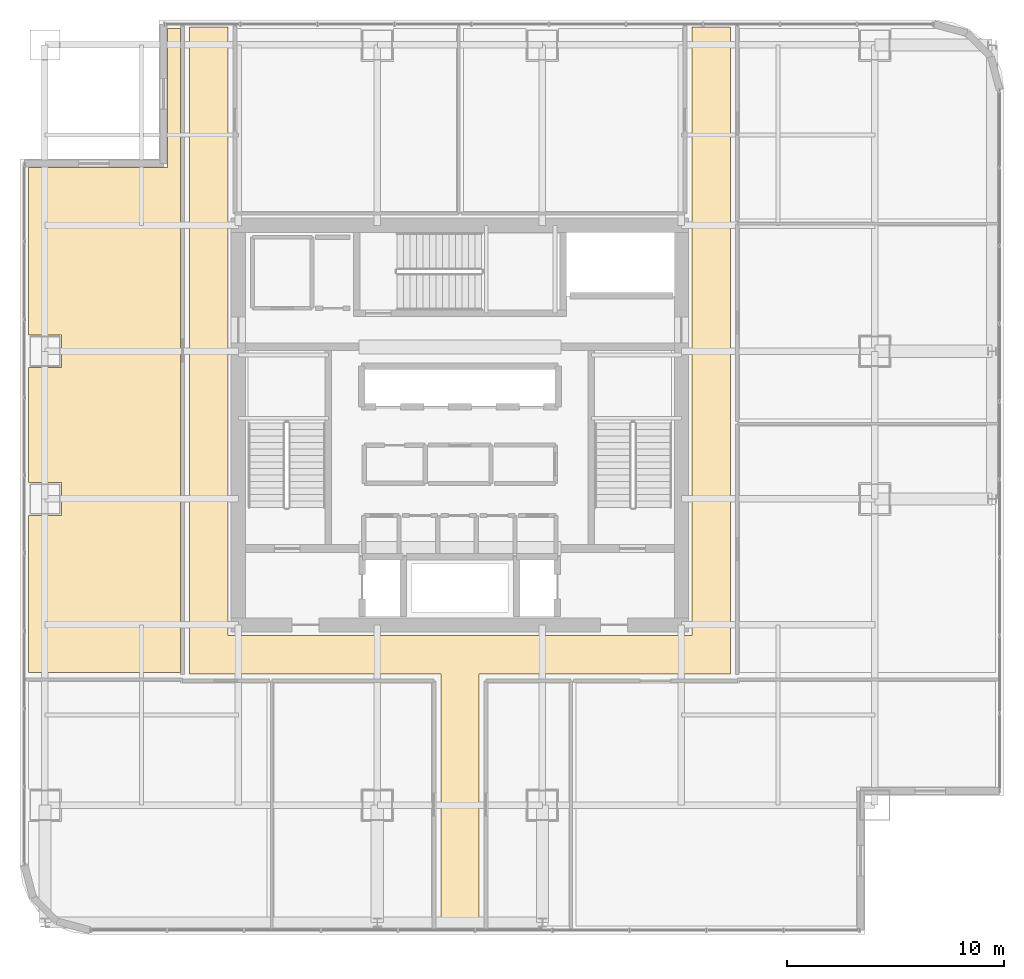
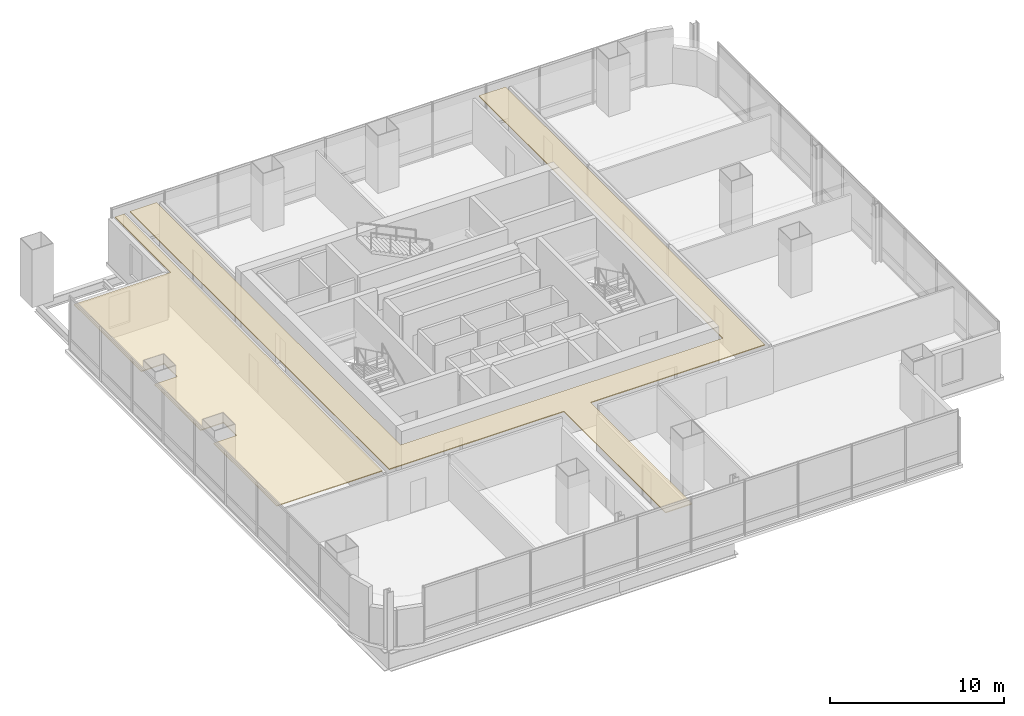
# One storey, part 34 of 36: 2 coverings.
"""IFC4 building model written with IfcOpenShell, lengths in metres."""

from ifc_helpers import new_model, si_unit, direction, frame, origin, place, context, subcontext, project, spatial, polyline, outline, extrude, material, layer, layer_set, type_object, element, save


model = new_model("IFC4")

# Units and contexts
model_context = context("Model", 3, precision=1e-05, world=origin(), true_north=direction((0.0, 1.0)))
body_context = subcontext(model_context, "Body", "Model", "MODEL_VIEW")
ifc_project = project(units=[si_unit("LENGTHUNIT", "METRE"), si_unit("AREAUNIT", "SQUARE_METRE"), si_unit("VOLUMEUNIT", "CUBIC_METRE"), si_unit("PLANEANGLEUNIT", "RADIAN"), si_unit("MASSUNIT", "GRAM", prefix="KILO")], contexts=[model_context])

# Site, building, storey
site_placement = place(None, origin())
site = spatial("IfcSite", under=ifc_project, at=site_placement, CompositionType="ELEMENT")
building_placement = place(site_placement, origin())
building = spatial("IfcBuilding", under=site, at=building_placement, Name="Punatoya Terracotta Tower", CompositionType="ELEMENT")
storey_placement = place(building_placement, frame((0.0, 0.0, 228.89990234375)))
storey = spatial("IfcBuildingStorey", under=building, at=storey_placement, Name="L54", CompositionType="ELEMENT", Elevation=228.89990234375)

# Coverings
ifc_material = material(Name="Acoustic Mineral Fibre Ceiling")
ifc_layer = layer(ifc_material, 0.06005859375)
ifc_layer_set = layer_set([ifc_layer], Name="Acoustic Mineral Fibre Ceiling")
covering_type = type_object("IfcCoveringType", Name="COV-CEIL-60", PredefinedType="CEILING", material=ifc_layer_set)
covering_1_placement = place(storey_placement, frame((0.0, 0.0, 3.22021484375)))
element("IfcCovering", 1, at=covering_1_placement, inside=storey, type_object=covering_type, Name="L54 Central Spine Circulation Corridor Acoustic Ceiling", PredefinedType="CEILING", context=body_context, shape_type="SweptSolid", body=[
    extrude(outline(polyline([(10.679931640625, 18.330078125), (10.679931640625, -9.679931640625), (-10.679931640625, -9.679931640625), (-10.679931640625, 18.330078125), (-12.449951171875, 18.330078125), (-12.449951171875, -11.449951171875), (-0.8798828125, -11.449951171875), (-0.8798828125, -23.1298828125), (0.8798828125, -23.1298828125), (0.8798828125, -11.449951171875), (12.449951171875, -11.449951171875), (12.449951171875, 18.330078125), (10.679931640625, 18.330078125)])), origin(), (0.0, 0.0, 1.0), 0.059814453125),
])
covering_2_placement = place(storey_placement, frame((0.0, 0.0, 3.22021484375)))
element("IfcCovering", 2, at=covering_2_placement, inside=storey, type_object=covering_type, Name="L54 Staff Tea Pantry Acoustic Ceiling", PredefinedType="CEILING", context=body_context, shape_type="SweptSolid", body=[
    extrude(outline(polyline([(-19.8701171875, -4.14990234375), (-19.8701171875, -11.389892578125), (-12.8701171875, -11.389892578125), (-12.8701171875, 18.27001953125), (-13.469970703125, 18.27001953125), (-13.469970703125, 11.8701171875), (-19.8701171875, 11.8701171875), (-19.8701171875, 4.14990234375), (-18.35009765625, 4.14990234375), (-18.35009765625, 2.64990234375), (-19.8701171875, 2.64990234375), (-19.8701171875, -2.64990234375), (-18.35009765625, -2.64990234375), (-18.35009765625, -4.14990234375), (-19.8701171875, -4.14990234375)])), origin(), (0.0, 0.0, 1.0), 0.059814453125),
])

save(model, "model.ifc")
